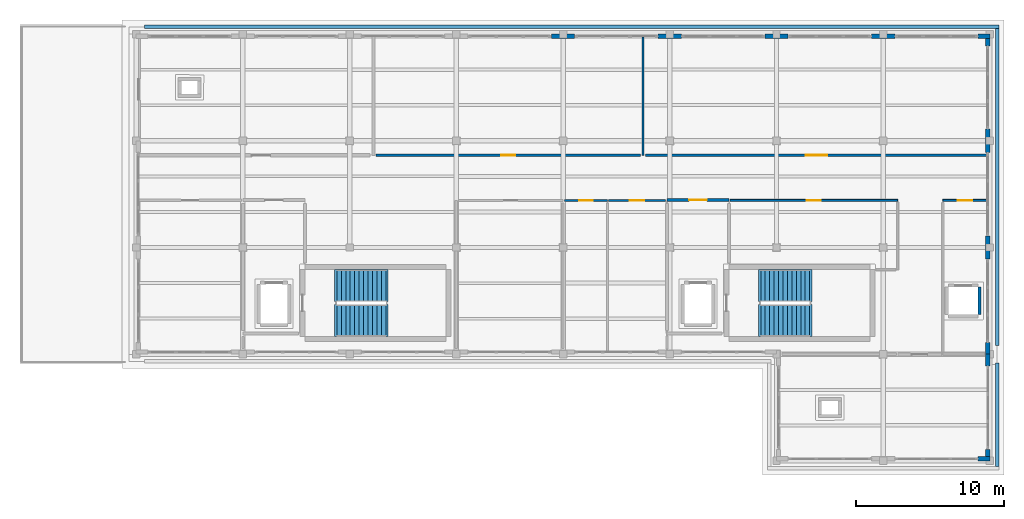
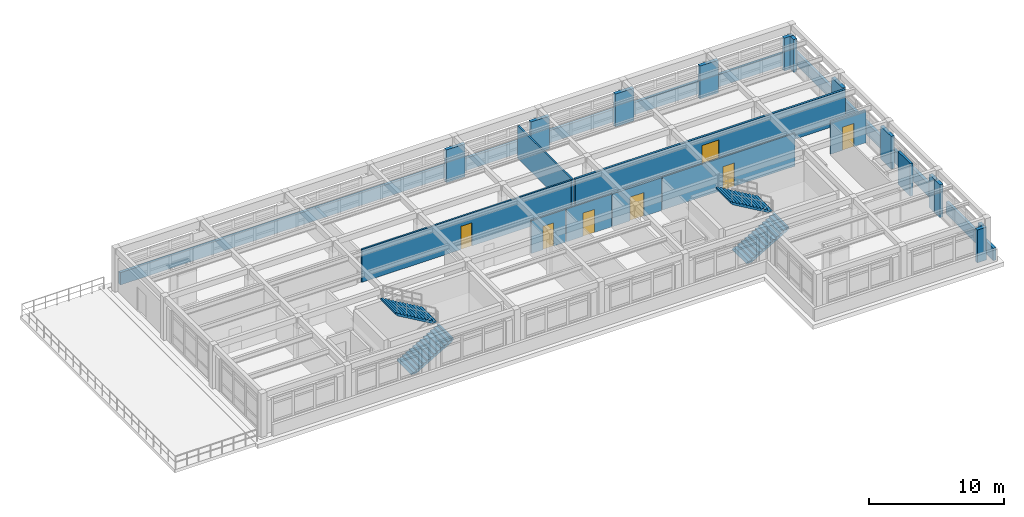
# One storey, part 15 of 18: 24 walls, 7 doors, 4 stair flights, 7 openings, 2 elements without a shape of their own.
"""IFC4 building model written with IfcOpenShell, lengths in metres."""

from ifc_helpers import new_model, si_unit, direction, frame, frame_2d, origin, place, context, subcontext, project, spatial, polyline, rectangle, outline, extrude, material, layer, layer_set, type_object, element, fill, aggregate, save


model = new_model("IFC4")

# Units and contexts
model_context = context("Model", 3, precision=1e-05, world=origin(), true_north=direction((0.0, 1.0)))
body_context = subcontext(model_context, "Body", "Model", "MODEL_VIEW")
ifc_project = project(units=[si_unit("LENGTHUNIT", "METRE"), si_unit("AREAUNIT", "SQUARE_METRE"), si_unit("VOLUMEUNIT", "CUBIC_METRE"), si_unit("PLANEANGLEUNIT", "RADIAN"), si_unit("MASSUNIT", "GRAM", prefix="KILO")], contexts=[model_context])

# Site, building, storey
site_placement = place(None, origin())
site = spatial("IfcSite", under=ifc_project, at=site_placement, CompositionType="ELEMENT")
building_placement = place(site_placement, origin())
building = spatial("IfcBuilding", under=site, at=building_placement, Name="Solenvale Faculty of Natural Sciences", CompositionType="ELEMENT")
storey_placement = place(building_placement, frame((0.0, 0.0, 39.60009765625)))
storey = spatial("IfcBuildingStorey", under=building, at=storey_placement, Name="L09", CompositionType="ELEMENT", Elevation=39.60009765625)

# Walls
ifc_material_1 = material(Name="Precast concrete 40 MPa", Category="concrete")
ifc_layer_1 = layer(ifc_material_1, 0.284912109375)
ifc_layer_set_1 = layer_set([ifc_layer_1], Name="Precast concrete 40 MPa")
wall_type_1 = type_object("IfcWallType", Name="WL-EXT-PRC-285", PredefinedType="STANDARD", material=ifc_layer_set_1)
wall_1_placement = place(storey_placement, frame((151.0576171875, 93.60009765625, 0.0), z_axis=(0.0, 0.0, 1.0), x_axis=(0.0, 1.0, 0.0)))
element("IfcWall", 1, at=wall_1_placement, inside=storey, type_object=wall_type_1, Name="L09 Facade Closure Pier 1.B1-L", PredefinedType="STANDARD", context=body_context, shape_type="SweptSolid", body=[
    extrude(rectangle(XDim=0.787841796875, YDim=0.284912109375, at=frame_2d((0.39404296875, 0.0))), origin(), (0.0, 0.0, 1.0), 2.9599609375),
])
wall_2_placement = place(storey_placement, frame((151.0576171875, 100.011962890625, 0.0), z_axis=(0.0, 0.0, 1.0), x_axis=(0.0, 1.0, 0.0)))
element("IfcWall", 2, at=wall_2_placement, inside=storey, type_object=wall_type_1, Name="L09 Facade Closure Pier 1.B1-R", PredefinedType="STANDARD", context=body_context, shape_type="SweptSolid", body=[
    extrude(rectangle(XDim=1.575927734375, YDim=0.284912109375, at=frame_2d((0.7880859375, 0.0))), origin(), (0.0, 0.0, 1.0), 2.9599609375),
])
wall_3_placement = place(storey_placement, frame((151.0576171875, 107.2119140625, 0.0), z_axis=(0.0, 0.0, 1.0), x_axis=(0.0, 1.0, 0.0)))
element("IfcWall", 3, at=wall_3_placement, inside=storey, type_object=wall_type_1, Name="L09 Facade Closure Pier 1.B2-R", PredefinedType="STANDARD", context=body_context, shape_type="SweptSolid", body=[
    extrude(rectangle(XDim=1.576171875, YDim=0.284912109375, at=frame_2d((0.7880859375, 0.0))), origin(), (0.0, 0.0, 1.0), 2.9599609375),
])
wall_4_placement = place(storey_placement, frame((151.0576171875, 114.412109375, 0.0), z_axis=(0.0, 0.0, 1.0), x_axis=(0.0, 1.0, 0.0)))
element("IfcWall", 4, at=wall_4_placement, inside=storey, type_object=wall_type_1, Name="L09 Facade Closure Pier 1.B3-R", PredefinedType="STANDARD", context=body_context, shape_type="SweptSolid", body=[
    extrude(rectangle(XDim=0.5029296875, YDim=0.284912109375, at=frame_2d((0.25146484375, 0.0))), origin(), (0.0, 0.0, 1.0), 2.9599609375),
])
wall_5_placement = place(storey_placement, frame((151.199951171875, 115.0576171875, 0.0), z_axis=(0.0, 0.0, 1.0), x_axis=(-1.0, 0.0, 0.0)))
element("IfcWall", 5, at=wall_5_placement, inside=storey, type_object=wall_type_1, Name="L09 Facade Closure Pier 2.B1-L", PredefinedType="STANDARD", context=body_context, shape_type="SweptSolid", body=[
    extrude(rectangle(XDim=0.787841796875, YDim=0.284912109375, at=frame_2d((0.39404296875, 0.0))), origin(), (0.0, 0.0, 1.0), 2.9599609375),
])
wall_6_placement = place(storey_placement, frame((144.7880859375, 115.0576171875, 0.0), z_axis=(0.0, 0.0, 1.0), x_axis=(-1.0, 0.0, 0.0)))
element("IfcWall", 6, at=wall_6_placement, inside=storey, type_object=wall_type_1, Name="L09 Facade Closure Pier 2.B1-R", PredefinedType="STANDARD", context=body_context, shape_type="SweptSolid", body=[
    extrude(rectangle(XDim=1.576171875, YDim=0.284912109375, at=frame_2d((0.7880859375, 0.0))), origin(), (0.0, 0.0, 1.0), 2.9599609375),
])
for number, where, z_axis, x_axis, name in (
    (7, (137.587890625, 115.0576171875, 0.0), (0.0, 0.0, 1.0), (-1.0, 0.0, 0.0), "L09 Facade Closure Pier 2.B2-R"),
    (8, (130.387939453125, 115.0576171875, 0.0), (0.0, 0.0, 1.0), (-1.0, 0.0, 0.0), "L09 Facade Closure Pier 2.B3-R"),
    (9, (123.18798828125, 115.0576171875, 0.0), (0.0, 0.0, 1.0), (-1.0, 0.0, 0.0), "L09 Facade Closure Pier 2.B4-R"),
):
    element("IfcWall", number, at=place(storey_placement, frame(where, z_axis=z_axis, x_axis=x_axis)), inside=storey, type_object=wall_type_1, Name=name, PredefinedType="STANDARD", context=body_context, shape_type="SweptSolid", body=[
        extrude(rectangle(XDim=1.575927734375, YDim=0.284912109375, at=frame_2d((0.7880859375, 0.0))), origin(), (0.0, 0.0, 1.0), 2.9599609375),
    ])
wall_7_placement = place(storey_placement, frame((150.412109375, 86.54248046875, 0.0), z_axis=(0.0, 0.0, 1.0), x_axis=(1.0, 0.0, 0.0)))
element("IfcWall", 10, at=wall_7_placement, inside=storey, type_object=wall_type_1, Name="L09 Facade Closure Pier 6.B2-R", PredefinedType="STANDARD", context=body_context, shape_type="SweptSolid", body=[
    extrude(rectangle(XDim=0.787841796875, YDim=0.284912109375, at=frame_2d((0.39404296875, 0.0))), origin(), (0.0, 0.0, 1.0), 2.9599609375),
])
wall_8_placement = place(storey_placement, frame((151.0576171875, 86.68505859375, 0.0), z_axis=(0.0, 0.0, 1.0), x_axis=(0.0, 1.0, 0.0)))
element("IfcWall", 11, at=wall_8_placement, inside=storey, type_object=wall_type_1, Name="L09 Facade Closure Pier 7.B1-L", PredefinedType="STANDARD", context=body_context, shape_type="SweptSolid", body=[
    extrude(rectangle(XDim=0.5029296875, YDim=0.284912109375, at=frame_2d((0.25146484375, 0.0))), origin(), (0.0, 0.0, 1.0), 2.9599609375),
])
wall_9_placement = place(storey_placement, frame((151.0576171875, 92.81201171875, 0.0), z_axis=(0.0, 0.0, 1.0), x_axis=(0.0, 1.0, 0.0)))
element("IfcWall", 12, at=wall_9_placement, inside=storey, type_object=wall_type_1, Name="L09 Facade Closure Pier 7.B1-R", PredefinedType="STANDARD", context=body_context, shape_type="SweptSolid", body=[
    extrude(rectangle(XDim=0.7880859375, YDim=0.284912109375, at=frame_2d((0.39404296875, 0.0))), origin(), (0.0, 0.0, 1.0), 2.9599609375),
])

# Wall, opening, door
ifc_material_2 = material(Name="Gypsum fire-rated shaftwall")
ifc_layer_2 = layer(ifc_material_2, 0.205078125)
ifc_layer_set_2 = layer_set([ifc_layer_2], Name="Gypsum fire-rated shaftwall")
wall_type_2 = type_object("IfcWallType", Name="WL-FFL-205", PredefinedType="PARTITIONING", material=ifc_layer_set_2)
wall_10_placement = place(storey_placement, frame((129.39990234375, 104.0, 0.0), z_axis=(0.0, 0.0, 1.0), x_axis=(1.0, 0.0, 0.0)))
wall_10 = element("IfcWall", 13, at=wall_10_placement, inside=storey, type_object=wall_type_2, Name="L09 Firefighting Lobby C5 Partition 1", PredefinedType="PARTITIONING", context=body_context, shape_type="SweptSolid", body=[
    extrude(rectangle(XDim=4.2001953125, YDim=0.205078125, at=frame_2d((2.10009765625, 0.0))), origin(), (0.0, 0.0, 1.0), 2.9599609375),
])
opening_1_placement = place(wall_10_placement, frame((1.5, 0.0, 0.0)))
opening_1 = element("IfcOpeningElement", 14, at=opening_1_placement, cuts=wall_10, Name="Opening D-L09-02", PredefinedType="OPENING", context=body_context, shape_type="SweptSolid", body=[
    extrude(rectangle(XDim=1.199951171875, YDim=2.14990234375, at=frame_2d((0.60009765625, 1.074951171875))), frame((0.0, 0.112548828125, 0.0), z_axis=(0.0, -1.0, 0.0), x_axis=(1.0, 0.0, 0.0)), (0.0, 0.0, 1.0), 0.22509765625),
])
ifc_material_3 = material(Name="Galvanised steel S355", Category="steel")
door_type_1 = type_object("IfcDoorType", Name="DR-FFL-1200x2150", OperationType="NOTDEFINED", PredefinedType="DOOR", material=ifc_material_3)
door_1_placement = place(opening_1_placement, origin())
door_1 = element("IfcDoor", 15, at=door_1_placement, inside=storey, type_object=door_type_1, Name="L09 Firefighting Lobby C5 Door", OperationType="SINGLE_SWING_LEFT", OverallHeight=2.14990234375, OverallWidth=1.199951171875, PredefinedType="DOOR", context=body_context, shape_type="SweptSolid", body=[
    extrude(rectangle(XDim=1.199951171875, YDim=2.14990234375, at=frame_2d((0.60009765625, 1.074951171875))), frame((0.0, 0.02490234375, 0.0), z_axis=(0.0, -1.0, 0.0), x_axis=(1.0, 0.0, 0.0)), (0.0, 0.0, 1.0), 0.050048828125),
])
fill(opening_1, door_1)

ifc_material_4 = material(Name="Gypsum fire-rated laboratory partition")
ifc_layer_3 = layer(ifc_material_4, 0.18505859375)
ifc_layer_set_3 = layer_set([ifc_layer_3], Name="Gypsum fire-rated laboratory partition")
wall_type_3 = type_object("IfcWallType", Name="WL-LAB-185", PredefinedType="PARTITIONING", material=ifc_layer_set_3)
wall_11_placement = place(storey_placement, frame((151.01806640625, 107.02001953125, 0.0), z_axis=(0.0, 0.0, 1.0), x_axis=(-1.0, 0.0, 0.0)))
wall_11 = element("IfcWall", 16, at=wall_11_placement, inside=storey, type_object=wall_type_3, Name="L09 Preparative Organic Chemistry Laboratory Partition 4", PredefinedType="PARTITIONING", context=body_context, shape_type="SweptSolid", body=[
    extrude(rectangle(XDim=23.0400390625, YDim=0.18505859375, at=frame_2d((11.52001953125, 0.0))), origin(), (0.0, 0.0, 1.0), 2.9599609375),
])
opening_2_placement = place(wall_11_placement, frame((10.794921875, 0.0, 0.0)))
opening_2 = element("IfcOpeningElement", 17, at=opening_2_placement, cuts=wall_11, Name="Opening D-L09-05", PredefinedType="OPENING", context=body_context, shape_type="SweptSolid", body=[
    extrude(rectangle(XDim=1.449951171875, YDim=2.199951171875, at=frame_2d((0.72509765625, 1.10009765625))), frame((0.0, 0.1025390625, 0.0), z_axis=(0.0, -1.0, 0.0), x_axis=(1.0, 0.0, 0.0)), (0.0, 0.0, 1.0), 0.205078125),
])
ifc_material_5 = material(Name="Oak acoustic timber leaf", Category="wood")
door_type_2 = type_object("IfcDoorType", Name="DR-LAB-1450x2200", OperationType="NOTDEFINED", PredefinedType="DOOR", material=ifc_material_5)
door_2_placement = place(opening_2_placement, origin())
door_2 = element("IfcDoor", 18, at=door_2_placement, inside=storey, type_object=door_type_2, Name="L09 Preparative Organic Chemistry Laboratory Door", OperationType="SINGLE_SWING_RIGHT", OverallHeight=2.199951171875, OverallWidth=1.449951171875, PredefinedType="DOOR", context=body_context, shape_type="SweptSolid", body=[
    extrude(rectangle(XDim=1.449951171875, YDim=2.199951171875, at=frame_2d((0.72509765625, 1.10009765625))), frame((0.0, 0.02490234375, 0.0), z_axis=(0.0, -1.0, 0.0), x_axis=(1.0, 0.0, 0.0)), (0.0, 0.0, 1.0), 0.050048828125),
])
fill(opening_2, door_2)

ifc_material_6 = material(Name="Acoustic stud gypsum partition")
ifc_layer_4 = layer(ifc_material_6, 0.125)
ifc_layer_set_4 = layer_set([ifc_layer_4], Name="Acoustic stud gypsum partition")
wall_type_4 = type_object("IfcWallType", Name="WL-OFF-125", PredefinedType="PARTITIONING", material=ifc_layer_set_4)
wall_12_placement = place(storey_placement, frame((133.674072265625, 103.97998046875, 0.0), z_axis=(0.0, 0.0, 1.0), x_axis=(1.0, 0.0, 0.0)))
wall_12 = element("IfcWall", 19, at=wall_12_placement, inside=storey, type_object=wall_type_4, Name="L09 Building Electrical and Telecom Closet Partition 18", PredefinedType="PARTITIONING", context=body_context, shape_type="SweptSolid", body=[
    extrude(rectangle(XDim=11.305908203125, YDim=0.125, at=frame_2d((5.65283203125, 0.0))), origin(), (0.0, 0.0, 1.0), 2.9599609375),
])
opening_3_placement = place(wall_12_placement, frame((5.18310546875, 0.0, 0.0)))
opening_3 = element("IfcOpeningElement", 20, at=opening_3_placement, cuts=wall_12, Name="Opening D-L09-10", PredefinedType="OPENING", context=body_context, shape_type="SweptSolid", body=[
    extrude(rectangle(XDim=0.93994140625, YDim=2.10009765625, at=frame_2d((0.469970703125, 1.050048828125))), frame((0.0, 0.072509765625, 0.0), z_axis=(0.0, -1.0, 0.0), x_axis=(1.0, 0.0, 0.0)), (0.0, 0.0, 1.0), 0.14501953125),
])
door_type_3 = type_object("IfcDoorType", Name="DR-OFF-0940x2100", OperationType="NOTDEFINED", PredefinedType="DOOR", material=ifc_material_5)
door_3_placement = place(opening_3_placement, origin())
door_3 = element("IfcDoor", 21, at=door_3_placement, inside=storey, type_object=door_type_3, Name="L09 Building Electrical and Telecom Closet Door", OperationType="SINGLE_SWING_LEFT", OverallHeight=2.10009765625, OverallWidth=0.93994140625, PredefinedType="DOOR", context=body_context, shape_type="SweptSolid", body=[
    extrude(rectangle(XDim=0.93994140625, YDim=2.10009765625, at=frame_2d((0.469970703125, 1.050048828125))), frame((0.0, 0.02490234375, 0.0), z_axis=(0.0, -1.0, 0.0), x_axis=(1.0, 0.0, 0.0)), (0.0, 0.0, 1.0), 0.050048828125),
])
fill(opening_3, door_3)

ifc_layer_5 = layer(ifc_material_6, 0.132080078125)
ifc_layer_set_5 = layer_set([ifc_layer_5], Name="Acoustic stud gypsum partition")
wall_type_5 = type_object("IfcWallType", Name="WL-OFF-132", PredefinedType="PARTITIONING", material=ifc_layer_set_5)
wall_13_placement = place(storey_placement, frame((148.02001953125, 103.97998046875, 0.0), z_axis=(0.0, 0.0, 1.0), x_axis=(1.0, 0.0, 0.0)))
wall_13 = element("IfcWall", 22, at=wall_13_placement, inside=storey, type_object=wall_type_5, Name="L09 Elevator Lobby Partition 1", PredefinedType="PARTITIONING", context=body_context, shape_type="SweptSolid", body=[
    extrude(rectangle(XDim=2.998046875, YDim=0.132080078125, at=frame_2d((1.4990234375, 0.0))), origin(), (0.0, 0.0, 1.0), 2.9599609375),
])
opening_4_placement = place(wall_13_placement, frame((1.01904296875, 0.0, 0.0)))
opening_4 = element("IfcOpeningElement", 23, at=opening_4_placement, cuts=wall_13, Name="Opening D-L09-11", PredefinedType="OPENING", context=body_context, shape_type="SweptSolid", body=[
    extrude(rectangle(XDim=0.9599609375, YDim=2.10009765625, at=frame_2d((0.47998046875, 1.050048828125))), frame((0.0, 0.075927734375, 0.0), z_axis=(0.0, -1.0, 0.0), x_axis=(1.0, 0.0, 0.0)), (0.0, 0.0, 1.0), 0.152099609375),
])
door_type_4 = type_object("IfcDoorType", Name="DR-OFF-0960x2100", OperationType="NOTDEFINED", PredefinedType="DOOR", material=ifc_material_5)
door_4_placement = place(opening_4_placement, origin())
door_4 = element("IfcDoor", 24, at=door_4_placement, inside=storey, type_object=door_type_4, Name="L09 Elevator Lobby Door", OperationType="SINGLE_SWING_RIGHT", OverallHeight=2.10009765625, OverallWidth=0.9599609375, PredefinedType="DOOR", context=body_context, shape_type="SweptSolid", body=[
    extrude(rectangle(XDim=0.9599609375, YDim=2.10009765625, at=frame_2d((0.47998046875, 1.050048828125))), frame((0.0, 0.02490234375, 0.0), z_axis=(0.0, -1.0, 0.0), x_axis=(1.0, 0.0, 0.0)), (0.0, 0.0, 1.0), 0.050048828125),
])
fill(opening_4, door_4)

ifc_layer_6 = layer(ifc_material_6, 0.139892578125)
ifc_layer_set_6 = layer_set([ifc_layer_6], Name="Acoustic stud gypsum partition")
wall_type_6 = type_object("IfcWallType", Name="WL-OFF-140", PredefinedType="PARTITIONING", material=ifc_layer_set_6)
wall_14_placement = place(storey_placement, frame((125.48193359375, 103.97998046875, 0.0), z_axis=(0.0, 0.0, 1.0), x_axis=(1.0, 0.0, 0.0)))
wall_14 = element("IfcWall", 25, at=wall_14_placement, inside=storey, type_object=wall_type_6, Name="L09 Analytical Balance Room Partition 2", PredefinedType="PARTITIONING", context=body_context, shape_type="SweptSolid", body=[
    extrude(rectangle(XDim=3.836181640625, YDim=0.139892578125, at=frame_2d((1.91796875, 0.0))), origin(), (0.0, 0.0, 1.0), 2.9599609375),
])
opening_5_placement = place(wall_14_placement, frame((1.427978515625, 0.0, 0.0)))
opening_5 = element("IfcOpeningElement", 26, at=opening_5_placement, cuts=wall_14, Name="Opening D-L09-09", PredefinedType="OPENING", context=body_context, shape_type="SweptSolid", body=[
    extrude(rectangle(XDim=0.97998046875, YDim=2.10009765625, at=frame_2d((0.489990234375, 1.050048828125))), frame((0.0, 0.079833984375, 0.0), z_axis=(0.0, -1.0, 0.0), x_axis=(1.0, 0.0, 0.0)), (0.0, 0.0, 1.0), 0.159912109375),
])
door_type_5 = type_object("IfcDoorType", Name="DR-OFF-0980x2100", OperationType="NOTDEFINED", PredefinedType="DOOR", material=ifc_material_5)
door_5_placement = place(opening_5_placement, origin())
door_5 = element("IfcDoor", 27, at=door_5_placement, inside=storey, type_object=door_type_5, Name="L09 Analytical Balance Room Door", OperationType="SINGLE_SWING_RIGHT", OverallHeight=2.10009765625, OverallWidth=0.97998046875, PredefinedType="DOOR", context=body_context, shape_type="SweptSolid", body=[
    extrude(rectangle(XDim=0.97998046875, YDim=2.10009765625, at=frame_2d((0.489990234375, 1.050048828125))), frame((0.0, 0.02490234375, 0.0), z_axis=(0.0, -1.0, 0.0), x_axis=(1.0, 0.0, 0.0)), (0.0, 0.0, 1.0), 0.050048828125),
])
fill(opening_5, door_5)

# Wall
ifc_layer_7 = layer(ifc_material_6, 0.14794921875)
ifc_layer_set_7 = layer_set([ifc_layer_7], Name="Acoustic stud gypsum partition")
wall_type_7 = type_object("IfcWallType", Name="WL-OFF-148", PredefinedType="PARTITIONING", material=ifc_layer_set_7)
wall_15_placement = place(storey_placement, frame((127.800048828125, 115.01708984375, 0.0), z_axis=(0.0, 0.0, 1.0), x_axis=(0.0, -1.0, 0.0)))
element("IfcWall", 28, at=wall_15_placement, inside=storey, type_object=wall_type_7, Name="L09 Faculty Staff Office Partition 3", PredefinedType="PARTITIONING", context=body_context, shape_type="SweptSolid", body=[
    extrude(rectangle(XDim=7.9970703125, YDim=0.14794921875, at=frame_2d((3.99853515625, 0.0))), origin(), (0.0, 0.0, 1.0), 2.9599609375),
])

# Wall, opening, door
wall_16_placement = place(storey_placement, frame((127.639892578125, 107.02001953125, 0.0), z_axis=(0.0, 0.0, 1.0), x_axis=(-1.0, 0.0, 0.0)))
wall_16 = element("IfcWall", 29, at=wall_16_placement, inside=storey, type_object=wall_type_7, Name="L09 Faculty Staff Office Partition 4", PredefinedType="PARTITIONING", context=body_context, shape_type="SweptSolid", body=[
    extrude(rectangle(XDim=17.847900390625, YDim=0.14794921875, at=frame_2d((8.923828125, 0.0))), origin(), (0.0, 0.0, 1.0), 2.9599609375),
])
opening_6_placement = place(wall_16_placement, frame((8.4541015625, 0.0, 0.0)))
opening_6 = element("IfcOpeningElement", 30, at=opening_6_placement, cuts=wall_16, Name="Opening D-L09-04", PredefinedType="OPENING", context=body_context, shape_type="SweptSolid", body=[
    extrude(rectangle(XDim=0.93994140625, YDim=2.10009765625, at=frame_2d((0.469970703125, 1.050048828125))), frame((0.0, 0.083984375, 0.0), z_axis=(0.0, -1.0, 0.0), x_axis=(1.0, 0.0, 0.0)), (0.0, 0.0, 1.0), 0.16796875),
])
door_6_placement = place(opening_6_placement, origin())
door_6 = element("IfcDoor", 31, at=door_6_placement, inside=storey, type_object=door_type_3, Name="L09 Faculty Staff Office Door", OperationType="SINGLE_SWING_LEFT", OverallHeight=2.10009765625, OverallWidth=0.93994140625, PredefinedType="DOOR", context=body_context, shape_type="SweptSolid", body=[
    extrude(rectangle(XDim=0.93994140625, YDim=2.10009765625, at=frame_2d((0.469970703125, 1.050048828125))), frame((0.0, 0.02490234375, 0.0), z_axis=(0.0, -1.0, 0.0), x_axis=(1.0, 0.0, 0.0)), (0.0, 0.0, 1.0), 0.050048828125),
])
fill(opening_6, door_6)

# Walls
ifc_material_7 = material(Name="Architectural bronze concrete 40 MPa", Category="concrete")
ifc_layer_8 = layer(ifc_material_7, 0.239990234375)
ifc_layer_set_8 = layer_set([ifc_layer_8], Name="Architectural bronze concrete 40 MPa")
wall_type_8 = type_object("IfcWallType", Name="WL-PAR-BRZ-240", PredefinedType="PARAPET", material=ifc_layer_set_8)
wall_17_placement = place(storey_placement, frame((94.159912109375, 115.679931640625, 0.0), z_axis=(0.0, 0.0, 1.0), x_axis=(1.0, 0.0, 0.0)))
element("IfcWall", 32, at=wall_17_placement, inside=storey, type_object=wall_type_8, Name="L09 Tower Horizontal Concrete Band 2", PredefinedType="PARAPET", context=body_context, shape_type="SweptSolid", body=[
    extrude(rectangle(XDim=57.64013671875, YDim=0.239990234375, at=frame_2d((28.820068359375, 0.0))), origin(), (0.0, 0.0, 1.0), 1.119873046875),
])
wall_18_placement = place(storey_placement, frame((151.679931640625, 115.56005859375, 0.0), z_axis=(0.0, 0.0, 1.0), x_axis=(0.0, -1.0, 0.0)))
element("IfcWall", 33, at=wall_18_placement, inside=storey, type_object=wall_type_8, Name="L09 Tower Horizontal Concrete Band 3", PredefinedType="PARAPET", context=body_context, shape_type="SweptSolid", body=[
    extrude(rectangle(XDim=21.360107421875, YDim=0.239990234375, at=frame_2d((10.68017578125, 0.0))), origin(), (0.0, 0.0, 1.0), 1.119873046875),
])
wall_19_placement = place(storey_placement, frame((151.679931640625, 93.0, 0.0), z_axis=(0.0, 0.0, 1.0), x_axis=(0.0, -1.0, 0.0)))
element("IfcWall", 34, at=wall_19_placement, inside=storey, type_object=wall_type_8, Name="L09 Tower Horizontal Concrete Band 4", PredefinedType="PARAPET", context=body_context, shape_type="SweptSolid", body=[
    extrude(rectangle(XDim=6.9599609375, YDim=0.239990234375, at=frame_2d((3.47998046875, 0.0))), origin(), (0.0, 0.0, 1.0), 1.119873046875),
])
ifc_material_8 = material(Name="Concrete 40 MPa", Category="concrete")
ifc_layer_9 = layer(ifc_material_8, 0.219970703125)
ifc_layer_set_9 = layer_set([ifc_layer_9], Name="Concrete 40 MPa")
wall_type_9 = type_object("IfcWallType", Name="WL-SHF-220", PredefinedType="STANDARD", material=ifc_layer_set_9)
wall_20_placement = place(storey_placement, frame((150.5048828125, 96.280029296875, 0.0), z_axis=(0.0, 0.0, 1.0), x_axis=(0.0, 1.0, 0.0)))
element("IfcWall", 35, at=wall_20_placement, inside=storey, type_object=wall_type_9, Name="Elevator LP-03 L09 Shaft Wall E", PredefinedType="STANDARD", context=body_context, shape_type="SweptSolid", body=[
    extrude(rectangle(XDim=1.840087890625, YDim=0.219970703125, at=frame_2d((0.919921875, 0.0))), origin(), (0.0, 0.0, 1.0), 2.9599609375),
])

# Wall, opening, door
ifc_material_9 = material(Name="Moisture-resistant tile partition")
ifc_layer_10 = layer(ifc_material_9, 0.14990234375)
ifc_layer_set_10 = layer_set([ifc_layer_10], Name="Moisture-resistant tile partition")
wall_type_10 = type_object("IfcWallType", Name="WL-WC-150", PredefinedType="PARTITIONING", material=ifc_layer_set_10)
wall_21_placement = place(storey_placement, frame((122.487060546875, 103.97998046875, 0.0), z_axis=(0.0, 0.0, 1.0), x_axis=(1.0, 0.0, 0.0)))
wall_21 = element("IfcWall", 36, at=wall_21_placement, inside=storey, type_object=wall_type_10, Name="L09 Accessible Washroom Partition 2", PredefinedType="PARTITIONING", context=body_context, shape_type="SweptSolid", body=[
    extrude(rectangle(XDim=2.912841796875, YDim=0.14990234375, at=frame_2d((1.45654296875, 0.0))), origin(), (0.0, 0.0, 1.0), 2.9599609375),
])
opening_7_placement = place(wall_21_placement, frame((1.007080078125, 0.0, 0.0)))
opening_7 = element("IfcOpeningElement", 37, at=opening_7_placement, cuts=wall_21, Name="Opening D-L09-08", PredefinedType="OPENING", context=body_context, shape_type="SweptSolid", body=[
    extrude(rectangle(XDim=0.89990234375, YDim=2.10009765625, at=frame_2d((0.449951171875, 1.050048828125))), frame((0.0, 0.0849609375, 0.0), z_axis=(0.0, -1.0, 0.0), x_axis=(1.0, 0.0, 0.0)), (0.0, 0.0, 1.0), 0.169921875),
])
door_type_6 = type_object("IfcDoorType", Name="DR-WC-0900x2100", OperationType="NOTDEFINED", PredefinedType="DOOR", material=ifc_material_5)
door_7_placement = place(opening_7_placement, origin())
door_7 = element("IfcDoor", 38, at=door_7_placement, inside=storey, type_object=door_type_6, Name="L09 Accessible Washroom Door", OperationType="SINGLE_SWING_LEFT", OverallHeight=2.10009765625, OverallWidth=0.89990234375, PredefinedType="DOOR", context=body_context, shape_type="SweptSolid", body=[
    extrude(rectangle(XDim=0.89990234375, YDim=2.10009765625, at=frame_2d((0.449951171875, 1.050048828125))), frame((0.0, 0.02490234375, 0.0), z_axis=(0.0, -1.0, 0.0), x_axis=(1.0, 0.0, 0.0)), (0.0, 0.0, 1.0), 0.050048828125),
])
fill(opening_7, door_7)

# Stair, stair flights
stair_type = type_object("IfcStairType", Name="STR-CORE-25R", PredefinedType="DOUBLE_RETURN_STAIR", material=ifc_material_8)
stair_1_placement = place(storey_placement, origin())
stair_1 = element("IfcStair", 39, at=stair_1_placement, inside=storey, type_object=stair_type, Name="L09 Protected Exit Stair ST-04", PredefinedType="DOUBLE_RETURN_STAIR")
stair_flight_type = type_object("IfcStairFlightType", Name="SFL-RC-25R", PredefinedType="STRAIGHT", material=ifc_material_8)
stair_flight_1_placement = place(storey_placement, frame((107.139892578125, 95.875, 0.0), z_axis=(0.0, 0.0, 1.0), x_axis=(1.0, 0.0, 0.0)))
stair_flight_1 = element("IfcStairFlight", 40, at=stair_flight_1_placement, type_object=stair_flight_type, Name="ST-04 flight 1", NumberOfRisers=12, NumberOfTreads=11, PredefinedType="STRAIGHT", RiserHeight=0.175, TreadLength=0.3, context=body_context, shape_type="SweptSolid", body=[
    extrude(outline(polyline([(-0.159912109375, 0.0), (0.0, 0.175048828125), (0.300048828125, 0.175048828125), (0.300048828125, 0.35009765625), (0.60009765625, 0.35009765625), (0.60009765625, 0.52490234375), (0.89990234375, 0.52490234375), (0.89990234375, 0.699951171875), (1.199951171875, 0.699951171875), (1.199951171875, 0.875), (1.5, 0.875), (1.5, 1.050048828125), (1.800048828125, 1.050048828125), (1.800048828125, 1.22509765625), (2.10009765625, 1.22509765625), (2.10009765625, 1.39990234375), (2.39990234375, 1.39990234375), (2.39990234375, 1.574951171875), (2.699951171875, 1.574951171875), (2.699951171875, 1.75), (3.0, 1.75), (3.0, 1.925048828125), (3.300048828125, 1.925048828125), (3.300048828125, 2.10009765625), (3.4599609375, 2.10009765625), (3.4599609375, 1.9501953125), (3.300048828125, 1.75146484375), (0.297607421875, 0.0), (-0.159912109375, 0.0)])), frame((0.0, 1.074951171875, 0.0), z_axis=(0.0, -1.0, 0.0), x_axis=(1.0, 0.0, 0.0)), (0.0, 0.0, 1.0), 2.14990234375),
])
stair_flight_2_placement = place(storey_placement, frame((110.43994140625, 98.22509765625, 2.099853515625), z_axis=(0.0, 0.0, 1.0), x_axis=(-1.0, 0.0, 0.0)))
stair_flight_2 = element("IfcStairFlight", 41, at=stair_flight_2_placement, type_object=stair_flight_type, Name="ST-04 flight 2", NumberOfRisers=12, NumberOfTreads=11, PredefinedType="STRAIGHT", RiserHeight=0.175, TreadLength=0.3, context=body_context, shape_type="SweptSolid", body=[
    extrude(outline(polyline([(-0.159912109375, 0.0), (0.0, 0.175048828125), (0.300048828125, 0.175048828125), (0.300048828125, 0.35009765625), (0.60009765625, 0.35009765625), (0.60009765625, 0.52490234375), (0.89990234375, 0.52490234375), (0.89990234375, 0.699951171875), (1.199951171875, 0.699951171875), (1.199951171875, 0.875), (1.5, 0.875), (1.5, 1.050048828125), (1.800048828125, 1.050048828125), (1.800048828125, 1.22509765625), (2.10009765625, 1.22509765625), (2.10009765625, 1.39990234375), (2.39990234375, 1.39990234375), (2.39990234375, 1.574951171875), (2.699951171875, 1.574951171875), (2.699951171875, 1.75), (3.0, 1.75), (3.0, 1.925048828125), (3.300048828125, 1.925048828125), (3.300048828125, 2.10009765625), (3.4599609375, 2.10009765625), (3.4599609375, 1.9501953125), (3.300048828125, 1.75146484375), (0.297607421875, 0.0), (-0.159912109375, 0.0)])), frame((0.0, 1.074951171875, 0.0), z_axis=(0.0, -1.0, 0.0), x_axis=(1.0, 0.0, 0.0)), (0.0, 0.0, 1.0), 2.14990234375),
])
aggregate(stair_1, [stair_flight_1, stair_flight_2])

stair_2_placement = place(storey_placement, origin())
stair_2 = element("IfcStair", 42, at=stair_2_placement, inside=storey, type_object=stair_type, Name="L09 Protected Exit Stair ST-05", PredefinedType="DOUBLE_RETURN_STAIR")
stair_flight_3_placement = place(storey_placement, frame((135.739990234375, 95.875, 0.0), z_axis=(0.0, 0.0, 1.0), x_axis=(1.0, 0.0, 0.0)))
stair_flight_3 = element("IfcStairFlight", 43, at=stair_flight_3_placement, type_object=stair_flight_type, Name="ST-05 flight 1", NumberOfRisers=12, NumberOfTreads=11, PredefinedType="STRAIGHT", RiserHeight=0.175, TreadLength=0.3, context=body_context, shape_type="SweptSolid", body=[
    extrude(outline(polyline([(-0.159912109375, 0.0), (0.0, 0.175048828125), (0.300048828125, 0.175048828125), (0.300048828125, 0.35009765625), (0.60009765625, 0.35009765625), (0.60009765625, 0.52490234375), (0.89990234375, 0.52490234375), (0.89990234375, 0.699951171875), (1.199951171875, 0.699951171875), (1.199951171875, 0.875), (1.5, 0.875), (1.5, 1.050048828125), (1.800048828125, 1.050048828125), (1.800048828125, 1.22509765625), (2.10009765625, 1.22509765625), (2.10009765625, 1.39990234375), (2.39990234375, 1.39990234375), (2.39990234375, 1.574951171875), (2.699951171875, 1.574951171875), (2.699951171875, 1.75), (3.0, 1.75), (3.0, 1.925048828125), (3.300048828125, 1.925048828125), (3.300048828125, 2.10009765625), (3.4599609375, 2.10009765625), (3.4599609375, 1.9501953125), (3.300048828125, 1.75146484375), (0.297607421875, 0.0), (-0.159912109375, 0.0)])), frame((0.0, 1.074951171875, 0.0), z_axis=(0.0, -1.0, 0.0), x_axis=(1.0, 0.0, 0.0)), (0.0, 0.0, 1.0), 2.14990234375),
])
stair_flight_4_placement = place(storey_placement, frame((139.0400390625, 98.22509765625, 2.099853515625), z_axis=(0.0, 0.0, 1.0), x_axis=(-1.0, 0.0, 0.0)))
stair_flight_4 = element("IfcStairFlight", 44, at=stair_flight_4_placement, type_object=stair_flight_type, Name="ST-05 flight 2", NumberOfRisers=12, NumberOfTreads=11, PredefinedType="STRAIGHT", RiserHeight=0.175, TreadLength=0.3, context=body_context, shape_type="SweptSolid", body=[
    extrude(outline(polyline([(-0.159912109375, 0.0), (0.0, 0.175048828125), (0.300048828125, 0.175048828125), (0.300048828125, 0.35009765625), (0.60009765625, 0.35009765625), (0.60009765625, 0.52490234375), (0.89990234375, 0.52490234375), (0.89990234375, 0.699951171875), (1.199951171875, 0.699951171875), (1.199951171875, 0.875), (1.5, 0.875), (1.5, 1.050048828125), (1.800048828125, 1.050048828125), (1.800048828125, 1.22509765625), (2.10009765625, 1.22509765625), (2.10009765625, 1.39990234375), (2.39990234375, 1.39990234375), (2.39990234375, 1.574951171875), (2.699951171875, 1.574951171875), (2.699951171875, 1.75), (3.0, 1.75), (3.0, 1.925048828125), (3.300048828125, 1.925048828125), (3.300048828125, 2.10009765625), (3.4599609375, 2.10009765625), (3.4599609375, 1.9501953125), (3.300048828125, 1.75146484375), (0.297607421875, 0.0), (-0.159912109375, 0.0)])), frame((0.0, 1.074951171875, 0.0), z_axis=(0.0, -1.0, 0.0), x_axis=(1.0, 0.0, 0.0)), (0.0, 0.0, 1.0), 2.14990234375),
])
aggregate(stair_2, [stair_flight_3, stair_flight_4])

save(model, "model.ifc")
